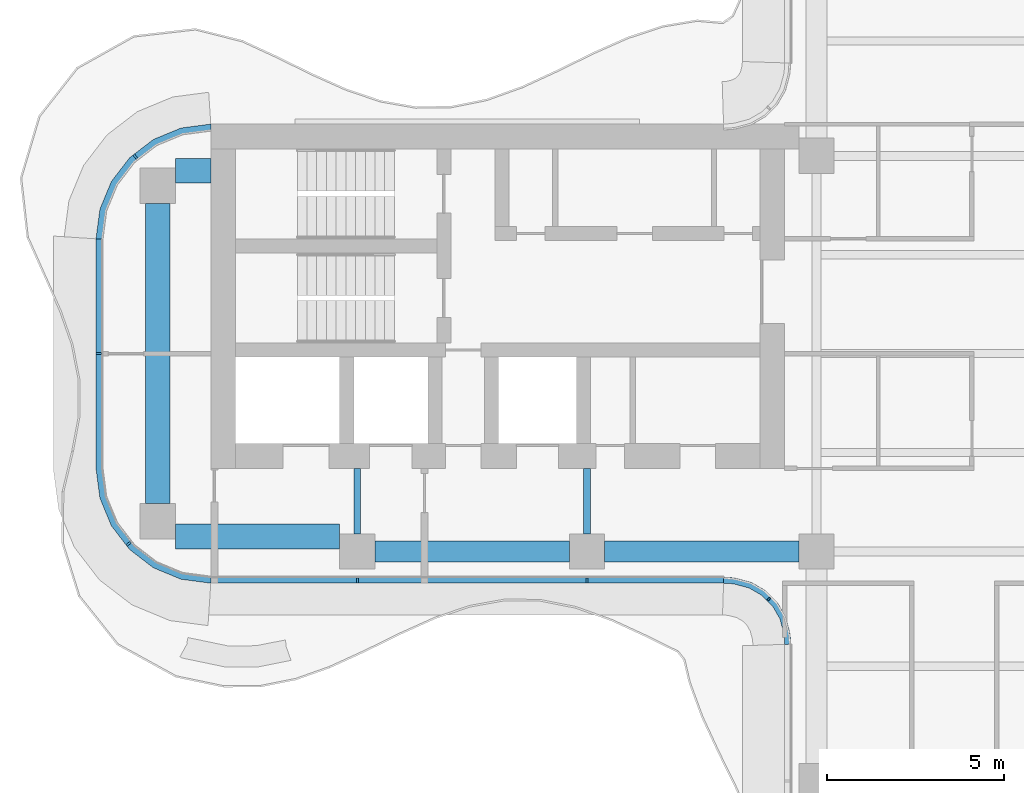
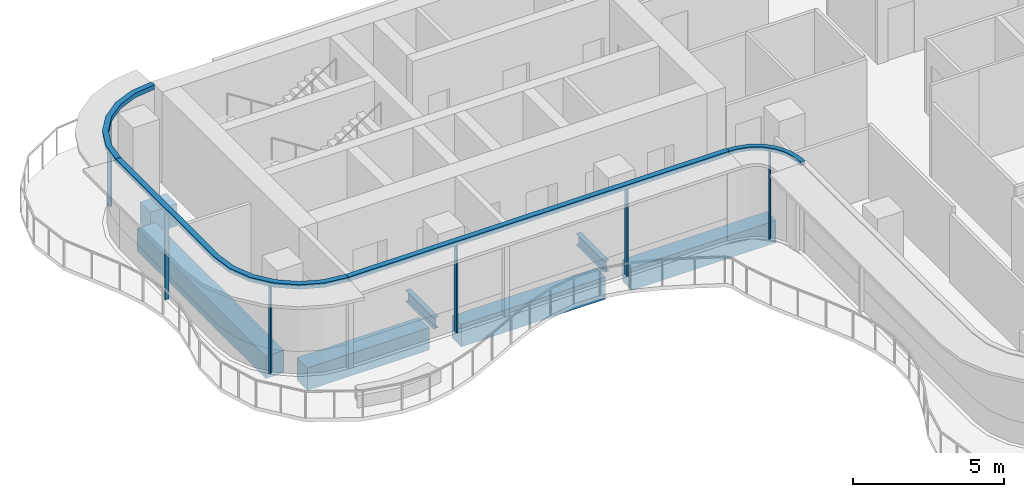
# One storey, part 3 of 16: 10 members, 7 beams, 4 elements without a shape of their own.
"""IFC4 building model written with IfcOpenShell, lengths in metres."""

from ifc_helpers import new_model, si_unit, direction, frame, origin, origin_2d, place, context, subcontext, project, spatial, polyline, rectangle, i_section, outline, extrude, source, transform, mapped, material, layer, layer_set, material_profile, profile_set, type_object, element, aggregate, save


model = new_model("IFC4")

# Units and contexts
model_context = context("Model", 3, precision=1e-05, world=origin(), true_north=direction((0.0, 1.0)))
body_context = subcontext(model_context, "Body", "Model", "MODEL_VIEW")
ifc_project = project(units=[si_unit("LENGTHUNIT", "METRE"), si_unit("AREAUNIT", "SQUARE_METRE"), si_unit("VOLUMEUNIT", "CUBIC_METRE"), si_unit("PLANEANGLEUNIT", "RADIAN"), si_unit("MASSUNIT", "GRAM", prefix="KILO")], contexts=[model_context])

# Site, building, storey
site_placement = place(None, origin())
site = spatial("IfcSite", under=ifc_project, at=site_placement, CompositionType="ELEMENT")
building_placement = place(site_placement, origin())
building = spatial("IfcBuilding", under=site, at=building_placement, Name="Trellis Farm Tower", CompositionType="ELEMENT")
storey_placement = place(building_placement, frame((0.0, 0.0, 322.300048828125)))
storey = spatial("IfcBuildingStorey", under=building, at=storey_placement, Name="L73", CompositionType="ELEMENT", Elevation=322.300048828125)

# Beams
ifc_material_1 = material(Name="Steel S355", Category="steel")
ifc_material_profile_1 = material_profile(ifc_material_1, i_section(OverallWidth=0.1904296875, OverallDepth=0.45703125, WebThickness=0.009033203125, FlangeThickness=0.014404296875, FilletRadius=0.01025390625, at=origin_2d()), Name="UB 457x191x74")
ifc_profile_set_1 = profile_set([ifc_material_profile_1], Name="Steel S355")
beam_type_1 = type_object("IfcBeamType", Name="UB 457x191x74", PredefinedType="BEAM", material=ifc_profile_set_1)
shared_shape_1 = source(origin(), body_context, "Body", "SweptSolid", [
    extrude(i_section(OverallWidth=0.1904296875, OverallDepth=0.45703125, WebThickness=0.009033203125, FlangeThickness=0.014404296875, FilletRadius=0.01025390625, at=origin_2d()), origin(), (0.0, 0.0, 1.0), 1.85009765625),
])
for number, where, z_axis, x_axis, name in (
    (1, (-18.60009765625, -5.10009765625, -0.428466796875), (0.0, 1.0, 0.0), (-1.0, 0.0, 0.0), "Girder"),
    (2, (-12.10009765625, -5.10009765625, -0.428466796875), (0.0, 1.0, 0.0), (-1.0, 0.0, 0.0), "Girder"),
):
    element("IfcBeam", number, at=place(storey_placement, frame(where, z_axis=z_axis, x_axis=x_axis)), inside=storey, type_object=beam_type_1, Name=name, PredefinedType="BEAM", context=body_context, shape_type="MappedRepresentation", body=[
        mapped(shared_shape_1, transform((0.0, 0.0, 0.0))),
    ])
ifc_material_2 = material(Name="Concrete C60/75", Category="concrete")
ifc_material_profile_2 = material_profile(ifc_material_2, rectangle(XDim=0.60009765625, YDim=0.89990234375, at=origin_2d()), Name="RC spandrel beam 600x900 C60/75")
ifc_profile_set_2 = profile_set([ifc_material_profile_2], Name="Concrete C60/75")
beam_type_2 = type_object("IfcBeamType", Name="RC spandrel beam 600x900 C60/75", PredefinedType="SPANDREL", material=ifc_profile_set_2)
shared_shape_2 = source(origin(), body_context, "Body", "SweptSolid", [
    extrude(rectangle(XDim=0.60009765625, YDim=0.89990234375, at=origin_2d()), origin(), (0.0, 0.0, 1.0), 5.5),
])
for number, where, z_axis, x_axis, name in (
    (3, (-18.10009765625, -5.60009765625, -0.650146484375), (1.0, 0.0, 0.0), (0.0, 1.0, 0.0), "Girder"),
    (4, (-11.60009765625, -5.60009765625, -0.650146484375), (1.0, 0.0, 0.0), (0.0, 1.0, 0.0), "Girder"),
):
    element("IfcBeam", number, at=place(storey_placement, frame(where, z_axis=z_axis, x_axis=x_axis)), inside=storey, type_object=beam_type_2, Name=name, PredefinedType="SPANDREL", context=body_context, shape_type="MappedRepresentation", body=[
        mapped(shared_shape_2, transform((0.0, 0.0, 0.0))),
    ])
ifc_material_profile_3 = material_profile(ifc_material_2, rectangle(XDim=0.699951171875, YDim=0.89990234375, at=origin_2d()), Name="RC spandrel beam 700x900 C60/75")
ifc_profile_set_3 = profile_set([ifc_material_profile_3], Name="Concrete C60/75")
beam_type_3 = type_object("IfcBeamType", Name="RC spandrel beam 700x900 C60/75", PredefinedType="SPANDREL", material=ifc_profile_set_3)
shared_shape_3 = source(origin(), body_context, "Body", "SweptSolid", [
    extrude(rectangle(XDim=0.699951171875, YDim=0.89990234375, at=origin_2d()), origin(), (0.0, 0.0, 1.0), 1.0),
])
beam_1_placement = place(storey_placement, frame((-23.75, 5.175048828125, -0.650146484375), z_axis=(1.0, 0.0, 0.0), x_axis=(0.0, 1.0, 0.0)))
element("IfcBeam", 5, at=beam_1_placement, inside=storey, type_object=beam_type_3, Name="Girder", PredefinedType="SPANDREL", context=body_context, shape_type="MappedRepresentation", body=[
    mapped(shared_shape_3, transform((0.0, 0.0, 0.0))),
])
shared_shape_4 = source(origin(), body_context, "Body", "SweptSolid", [
    extrude(rectangle(XDim=0.699951171875, YDim=0.89990234375, at=origin_2d()), origin(), (0.0, 0.0, 1.0), 4.64990234375),
])
beam_2_placement = place(storey_placement, frame((-23.75, -5.175048828125, -0.650146484375), z_axis=(1.0, 0.0, 0.0), x_axis=(0.0, 1.0, 0.0)))
element("IfcBeam", 6, at=beam_2_placement, inside=storey, type_object=beam_type_3, Name="Girder", PredefinedType="SPANDREL", context=body_context, shape_type="MappedRepresentation", body=[
    mapped(shared_shape_4, transform((0.0, 0.0, 0.0))),
])
shared_shape_5 = source(origin(), body_context, "Body", "SweptSolid", [
    extrude(rectangle(XDim=0.699951171875, YDim=0.89990234375, at=origin_2d()), origin(), (0.0, 0.0, 1.0), 8.5),
])
beam_3_placement = place(storey_placement, frame((-24.25, -4.25, -0.650146484375), z_axis=(0.0, 1.0, 0.0), x_axis=(-1.0, 0.0, 0.0)))
element("IfcBeam", 7, at=beam_3_placement, inside=storey, type_object=beam_type_3, Name="Girder", PredefinedType="SPANDREL", context=body_context, shape_type="MappedRepresentation", body=[
    mapped(shared_shape_5, transform((0.0, 0.0, 0.0))),
])

# Curtain wall, member
ifc_material_3 = material(Name="Aluminium and glass curtain wall", Category="aluminium")
ifc_layer_1 = layer(ifc_material_3, 0.166015625)
ifc_layer_set_1 = layer_set([ifc_layer_1], Name="WINTER GARDEN CURTAIN WALL CW3")
curtain_wall_type_1 = type_object("IfcCurtainWallType", Name="WINTER GARDEN CURTAIN WALL CW3", PredefinedType="NOTDEFINED", material=ifc_layer_set_1)
placement_1 = place(storey_placement, origin())
curtain_wall_1 = element("IfcCurtainWall", 8, at=placement_1, inside=storey, type_object=curtain_wall_type_1, Name="CW3 001", PredefinedType="NOTDEFINED")
ifc_material_4 = material(Name="Aluminium extrusion 6063-T6", Category="aluminium")
ifc_layer_2 = layer(ifc_material_4, 0.169921875)
ifc_layer_set_2 = layer_set([ifc_layer_2], Name="Aluminium extrusion 6063-T6")
member_type_1 = type_object("IfcMemberType", Name="CW3 TRANSOM 170x150", PredefinedType="USERDEFINED", material=ifc_layer_set_2)
shared_shape_6 = source(origin(), body_context, "Body", "SweptSolid", [
    extrude(outline(polyline([(-8.2314453125, -6.5), (-8.01953125, -6.513916015625), (-7.91552734375, -6.527587890625), (-7.508544921875, -6.63671875), (-7.144287109375, -6.846923828125), (-6.846923828125, -7.144287109375), (-6.63671875, -7.508544921875), (-6.527587890625, -7.91552734375), (-6.513916015625, -8.01953125), (-6.5, -8.2314453125), (-6.330078125, -8.225830078125), (-6.3447265625, -8.0029296875), (-6.360595703125, -7.88232421875), (-6.478271484375, -7.44287109375), (-6.7109375, -7.0400390625), (-7.0400390625, -6.7109375), (-7.44287109375, -6.478271484375), (-7.88232421875, -6.360595703125), (-8.0029296875, -6.3447265625), (-8.225830078125, -6.330078125), (-8.2314453125, -6.5)])), origin(), (0.0, 0.0, 1.0), 0.14990234375),
])
member_1_placement = place(storey_placement, frame((0.0, 0.0, 3.550048828125)))
member_1 = element("IfcMember", 9, at=member_1_placement, type_object=member_type_1, Name="TR3 001", ObjectType="TRANSOM", PredefinedType="USERDEFINED", context=body_context, shape_type="MappedRepresentation", body=[
    mapped(shared_shape_6, transform((0.0, 0.0, 0.0))),
])

# Curtain wall, members
ifc_layer_3 = layer(ifc_material_3, 0.18994140625)
ifc_layer_set_3 = layer_set([ifc_layer_3], Name="RIBBON CURTAIN WALL CW1")
curtain_wall_type_2 = type_object("IfcCurtainWallType", Name="RIBBON CURTAIN WALL CW1", PredefinedType="NOTDEFINED", material=ifc_layer_set_3)
curtain_wall_2 = element("IfcCurtainWall", 10, at=placement_1, inside=storey, type_object=curtain_wall_type_2, Name="CW1 001", PredefinedType="NOTDEFINED")
ifc_material_profile_4 = material_profile(ifc_material_4, rectangle(XDim=0.06005859375, YDim=0.14990234375, at=origin_2d()), Name="MULLION 60x150")
ifc_profile_set_4 = profile_set([ifc_material_profile_4], Name="Aluminium extrusion 6063-T6")
member_type_2 = type_object("IfcMemberType", Name="CW1 MULLION 60x150", PredefinedType="MULLION", material=ifc_profile_set_4)
shared_shape_7 = source(origin(), body_context, "Body", "SweptSolid", [
    extrude(rectangle(XDim=0.06005859375, YDim=0.14990234375, at=origin_2d()), origin(), (0.0, 0.0, 1.0), 3.52001953125),
])
member_2_placement = place(storey_placement, frame((-18.60009765625, -6.425048828125, 0.0), z_axis=(0.0, 0.0, 1.0), x_axis=(1.0, 0.0, 0.0)))
member_2 = element("IfcMember", 11, at=member_2_placement, type_object=member_type_2, Name="MU1 001-01", PredefinedType="MULLION", context=body_context, shape_type="MappedRepresentation", body=[
    mapped(shared_shape_7, transform((0.0, 0.0, 0.0))),
])
member_3_placement = place(storey_placement, frame((-12.10009765625, -6.425048828125, 0.0), z_axis=(0.0, 0.0, 1.0), x_axis=(1.0, 0.0, 0.0)))
member_3 = element("IfcMember", 12, at=member_3_placement, type_object=member_type_2, Name="MU1 001-02", PredefinedType="MULLION", context=body_context, shape_type="MappedRepresentation", body=[
    mapped(shared_shape_7, transform((0.0, 0.0, 0.0))),
])

# Curtain wall, member
curtain_wall_3 = element("IfcCurtainWall", 13, at=placement_1, inside=storey, type_object=curtain_wall_type_2, Name="CW1 013", PredefinedType="NOTDEFINED")
member_4_placement = place(storey_placement, frame((-24.885498046875, 5.578369140625, 0.0), z_axis=(0.0, 0.0, 1.0), x_axis=(-0.793353340291, -0.608761429009, 0.0)))
member_4 = element("IfcMember", 14, at=member_4_placement, type_object=member_type_2, Name="MU1 013-01", PredefinedType="MULLION", context=body_context, shape_type="MappedRepresentation", body=[
    mapped(shared_shape_7, transform((0.0, 0.0, 0.0))),
])

# Curtain wall, members
curtain_wall_4 = element("IfcCurtainWall", 15, at=placement_1, inside=storey, type_object=curtain_wall_type_2, Name="CW1 014", PredefinedType="NOTDEFINED")
member_5_placement = place(storey_placement, frame((-25.925048828125, 0.0, 0.0), z_axis=(0.0, 0.0, 1.0), x_axis=(0.0, -1.0, 0.0)))
member_5 = element("IfcMember", 16, at=member_5_placement, type_object=member_type_2, Name="MU1 014-01", PredefinedType="MULLION", context=body_context, shape_type="MappedRepresentation", body=[
    mapped(shared_shape_7, transform((0.0, 0.0, 0.0))),
])
member_6_placement = place(storey_placement, frame((-25.078369140625, -5.385498046875, 0.0), z_axis=(0.0, 0.0, 1.0), x_axis=(0.608761429009, -0.793353340291, 0.0)))
member_6 = element("IfcMember", 17, at=member_6_placement, type_object=member_type_2, Name="MU1 014-02", PredefinedType="MULLION", context=body_context, shape_type="MappedRepresentation", body=[
    mapped(shared_shape_7, transform((0.0, 0.0, 0.0))),
])

# Member
ifc_material_profile_5 = material_profile(ifc_material_4, rectangle(XDim=0.050048828125, YDim=0.1201171875, at=origin_2d()), Name="MULLION 50x120")
ifc_profile_set_5 = profile_set([ifc_material_profile_5], Name="Aluminium extrusion 6063-T6")
member_type_3 = type_object("IfcMemberType", Name="CW3 MULLION 50x120", PredefinedType="MULLION", material=ifc_profile_set_5)
shared_shape_8 = source(origin(), body_context, "Body", "SweptSolid", [
    extrude(rectangle(XDim=0.050048828125, YDim=0.1201171875, at=origin_2d()), origin(), (0.0, 0.0, 1.0), 3.550048828125),
])
member_7_placement = place(storey_placement, frame((-6.953125, -6.953125, 0.0), z_axis=(0.0, 0.0, 1.0), x_axis=(0.707106781187, -0.707106781187, 0.0)))
member_7 = element("IfcMember", 18, at=member_7_placement, type_object=member_type_3, Name="MU3 001-01", PredefinedType="MULLION", context=body_context, shape_type="MappedRepresentation", body=[
    mapped(shared_shape_8, transform((0.0, 0.0, 0.0))),
])

aggregate(curtain_wall_1, [member_7, member_1])

ifc_layer_4 = layer(ifc_material_4, 0.199951171875)
ifc_layer_set_4 = layer_set([ifc_layer_4], Name="Aluminium extrusion 6063-T6")
member_type_4 = type_object("IfcMemberType", Name="CW1 TRANSOM 200x180", PredefinedType="USERDEFINED", material=ifc_layer_set_4)
shared_shape_9 = source(origin(), body_context, "Body", "SweptSolid", [
    extrude(outline(polyline([(-22.75, -6.5), (-8.2314453125, -6.5), (-8.224853515625, -6.300048828125), (-22.73681640625, -6.300048828125), (-22.75, -6.5)])), origin(), (0.0, 0.0, 1.0), 0.179931640625),
])
placement_2 = place(storey_placement, frame((0.0, 0.0, 3.52001953125)))
member_8 = element("IfcMember", 19, at=placement_2, type_object=member_type_4, Name="TR1 001", ObjectType="TRANSOM", PredefinedType="USERDEFINED", context=body_context, shape_type="MappedRepresentation", body=[
    mapped(shared_shape_9, transform((0.0, 0.0, 0.0))),
])

aggregate(curtain_wall_2, [member_2, member_3, member_8])

shared_shape_10 = source(origin(), body_context, "Body", "SweptSolid", [
    extrude(outline(polyline([(-22.75, 6.5), (-23.591064453125, 6.38916015625), (-24.375, 6.064697265625), (-25.048095703125, 5.548095703125), (-25.564697265625, 4.875), (-25.88916015625, 4.091064453125), (-26.0, 3.25), (-25.800048828125, 3.23681640625), (-25.6943359375, 4.0390625), (-25.389892578125, 4.774169921875), (-24.905517578125, 5.405517578125), (-24.274169921875, 5.889892578125), (-23.5390625, 6.1943359375), (-22.73681640625, 6.300048828125), (-22.75, 6.5)])), origin(), (0.0, 0.0, 1.0), 0.179931640625),
])
member_9 = element("IfcMember", 20, at=placement_2, type_object=member_type_4, Name="TR1 013", ObjectType="TRANSOM", PredefinedType="USERDEFINED", context=body_context, shape_type="MappedRepresentation", body=[
    mapped(shared_shape_10, transform((0.0, 0.0, 0.0))),
])

aggregate(curtain_wall_3, [member_4, member_9])

shared_shape_11 = source(origin(), body_context, "Body", "SweptSolid", [
    extrude(outline(polyline([(-26.0, 3.25), (-26.0, -3.25), (-25.88916015625, -4.091064453125), (-25.564697265625, -4.875), (-25.048095703125, -5.548095703125), (-24.375, -6.064697265625), (-23.591064453125, -6.38916015625), (-22.75, -6.5), (-22.73681640625, -6.300048828125), (-23.5390625, -6.1943359375), (-24.274169921875, -5.889892578125), (-24.905517578125, -5.405517578125), (-25.389892578125, -4.774169921875), (-25.6943359375, -4.0390625), (-25.800048828125, -3.23681640625), (-25.800048828125, 3.23681640625), (-26.0, 3.25)])), origin(), (0.0, 0.0, 1.0), 0.179931640625),
])
member_10 = element("IfcMember", 21, at=placement_2, type_object=member_type_4, Name="TR1 014", ObjectType="TRANSOM", PredefinedType="USERDEFINED", context=body_context, shape_type="MappedRepresentation", body=[
    mapped(shared_shape_11, transform((0.0, 0.0, 0.0))),
])

aggregate(curtain_wall_4, [member_5, member_6, member_10])

save(model, "model.ifc")
